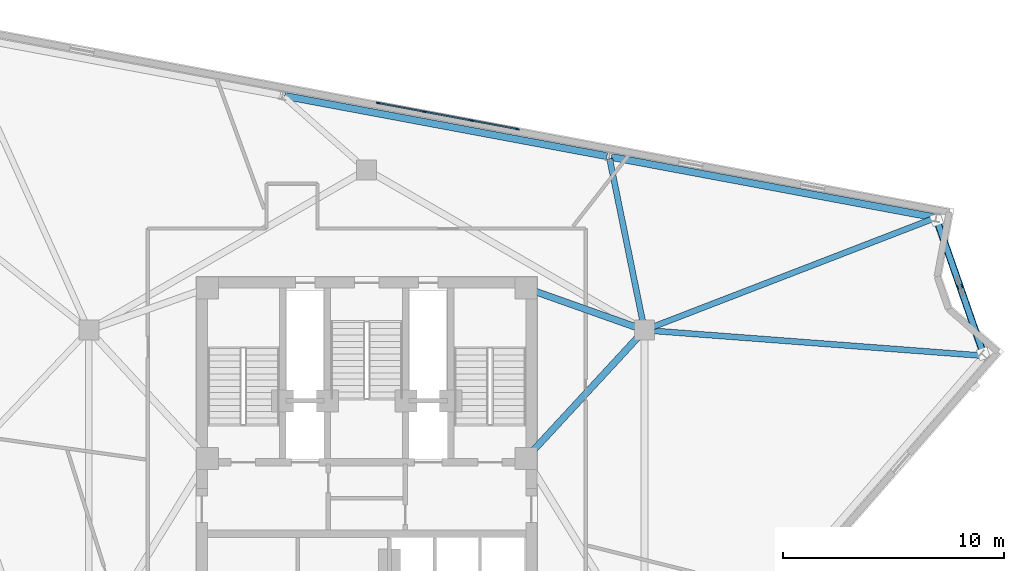
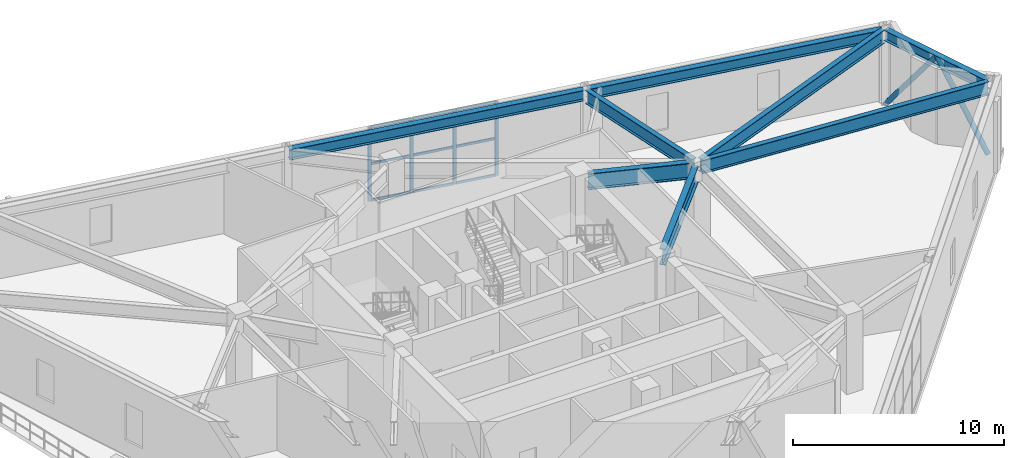
# One storey, part 7 of 15: 15 members, 8 beams, 1 element without a shape of its own.
"""IFC4 building model written with IfcOpenShell, lengths in metres."""

from ifc_helpers import new_model, si_unit, direction, frame, origin, origin_2d, place, context, subcontext, project, spatial, rectangle, hollow_circle, i_section, extrude, material, layer, layer_set, material_profile, profile_set, type_object, element, aggregate, save


model = new_model("IFC4")

# Units and contexts
model_context = context("Model", 3, precision=1e-05, world=origin(), true_north=direction((0.0, 1.0)))
body_context = subcontext(model_context, "Body", "Model", "MODEL_VIEW")
ifc_project = project(units=[si_unit("LENGTHUNIT", "METRE"), si_unit("AREAUNIT", "SQUARE_METRE"), si_unit("VOLUMEUNIT", "CUBIC_METRE"), si_unit("PLANEANGLEUNIT", "RADIAN"), si_unit("MASSUNIT", "GRAM", prefix="KILO")], contexts=[model_context])

# Site, building, storey
site_placement = place(None, origin())
site = spatial("IfcSite", under=ifc_project, at=site_placement, CompositionType="ELEMENT")
building_placement = place(site_placement, origin())
building = spatial("IfcBuilding", under=site, at=building_placement, Name="Apsidion Concourse Tower", CompositionType="ELEMENT")
storey_placement = place(building_placement, frame((0.0, 0.0, 260.89990234375)))
storey = spatial("IfcBuildingStorey", under=building, at=storey_placement, Name="L61", CompositionType="ELEMENT", Elevation=260.89990234375)

# Beams
ifc_material_1 = material(Name="Structural steel ASTM A992 Grade 50", Category="steel")
ifc_material_profile_1 = material_profile(ifc_material_1, i_section(OverallWidth=0.31005859375, OverallDepth=0.931884765625, WebThickness=0.02099609375, FlangeThickness=0.034423828125, at=origin_2d()), Name="W36X210")
ifc_profile_set_1 = profile_set([ifc_material_profile_1], Name="Structural steel ASTM A992 Grade 50")
beam_type_1 = type_object("IfcBeamType", Name="BM-G-W36", PredefinedType="USERDEFINED", material=ifc_profile_set_1)
beam_1_placement = place(storey_placement, frame((12.28857421875, 6.956298828125, 3.884033203125), z_axis=(-0.678712876106, -0.73440372535, 0.0), x_axis=(0.73440372535, -0.678712876106, 0.0)))
element("IfcBeam", 1, at=beam_1_placement, inside=storey, type_object=beam_type_1, Name="L61 Core Coupling Girder IC3-SC3", ObjectType="GIRDER", PredefinedType="USERDEFINED", context=body_context, shape_type="SweptSolid", body=[
    extrude(i_section(OverallWidth=0.31005859375, OverallDepth=0.931884765625, WebThickness=0.02099609375, FlangeThickness=0.034423828125, at=origin_2d()), origin(), (0.0, 0.0, 1.0), 7.097412109375),
])
beam_2_placement = place(storey_placement, frame((12.18310546875, 7.383544921875, 3.884033203125), z_axis=(-0.942533844539, 0.334110688094, 0.0), x_axis=(-0.334110688094, -0.942533844539, 0.0)))
element("IfcBeam", 2, at=beam_2_placement, inside=storey, type_object=beam_type_1, Name="L61 Core Coupling Girder IC3-SC4", ObjectType="GIRDER", PredefinedType="USERDEFINED", context=body_context, shape_type="SweptSolid", body=[
    extrude(i_section(OverallWidth=0.31005859375, OverallDepth=0.931884765625, WebThickness=0.02099609375, FlangeThickness=0.034423828125, at=origin_2d()), origin(), (0.0, 0.0, 1.0), 4.886962890625),
])
ifc_material_profile_2 = material_profile(ifc_material_1, i_section(OverallWidth=0.324951171875, OverallDepth=0.616943359375, WebThickness=0.013916015625, FlangeThickness=0.021484375, at=origin_2d()), Name="W24X117")
ifc_profile_set_2 = profile_set([ifc_material_profile_2], Name="Structural steel ASTM A992 Grade 50")
beam_type_2 = type_object("IfcBeamType", Name="BM-SP-W24", PredefinedType="SPANDREL", material=ifc_profile_set_2)
beam_3_placement = place(storey_placement, frame((27.881591796875, 6.185302734375, 4.04150390625), z_axis=(-0.328995813691, 0.944331379641, 0.0), x_axis=(-0.944331379641, -0.328995813691, 0.0)))
element("IfcBeam", 3, at=beam_3_placement, inside=storey, type_object=beam_type_2, Name="L61 Perimeter Spandrel Girder SP-08", PredefinedType="SPANDREL", context=body_context, shape_type="SweptSolid", body=[
    extrude(i_section(OverallWidth=0.324951171875, OverallDepth=0.616943359375, WebThickness=0.013916015625, FlangeThickness=0.021484375, at=origin_2d()), origin(), (0.0, 0.0, 1.0), 6.416015625),
])
beam_4_placement = place(storey_placement, frame((25.639404296875, 12.35693359375, 4.04150390625), z_axis=(-0.982990339522, 0.183657268861, 0.0), x_axis=(-0.183657268861, -0.982990339522, 0.0)))
element("IfcBeam", 4, at=beam_4_placement, inside=storey, type_object=beam_type_2, Name="L61 Perimeter Spandrel Girder SP-09", PredefinedType="SPANDREL", context=body_context, shape_type="SweptSolid", body=[
    extrude(i_section(OverallWidth=0.324951171875, OverallDepth=0.616943359375, WebThickness=0.013916015625, FlangeThickness=0.021484375, at=origin_2d()), origin(), (0.0, 0.0, 1.0), 14.82861328125),
])
beam_5_placement = place(storey_placement, frame((10.866455078125, 15.1171875, 4.04150390625), z_axis=(-0.982990894844, 0.183654296586, 0.0), x_axis=(-0.183654296586, -0.982990894844, 0.0)))
element("IfcBeam", 5, at=beam_5_placement, inside=storey, type_object=beam_type_2, Name="L61 Perimeter Spandrel Girder SP-10", PredefinedType="SPANDREL", context=body_context, shape_type="SweptSolid", body=[
    extrude(i_section(OverallWidth=0.324951171875, OverallDepth=0.616943359375, WebThickness=0.013916015625, FlangeThickness=0.021484375, at=origin_2d()), origin(), (0.0, 0.0, 1.0), 14.828857421875),
])
ifc_material_profile_3 = material_profile(ifc_material_1, i_section(OverallWidth=0.26806640625, OverallDepth=0.77001953125, WebThickness=0.015625, FlangeThickness=0.025390625, at=origin_2d()), Name="W30X132")
ifc_profile_set_3 = profile_set([ifc_material_profile_3], Name="Structural steel ASTM A992 Grade 50")
beam_type_3 = type_object("IfcBeamType", Name="BM-SP-W30", PredefinedType="SPANDREL", material=ifc_profile_set_3)
beam_6_placement = place(storey_placement, frame((12.779296875, 7.2333984375, 3.965087890625), z_axis=(0.997162813541, -0.075274984495, 0.0), x_axis=(0.075274984495, 0.997162813541, 0.0)))
element("IfcBeam", 6, at=beam_6_placement, inside=storey, type_object=beam_type_3, Name="L61 Radial Floor Girder RAD-08", PredefinedType="SPANDREL", context=body_context, shape_type="SweptSolid", body=[
    extrude(i_section(OverallWidth=0.26806640625, OverallDepth=0.77001953125, WebThickness=0.015625, FlangeThickness=0.025390625, at=origin_2d()), origin(), (0.0, 0.0, 1.0), 15.078125),
])
beam_7_placement = place(storey_placement, frame((12.76513671875, 7.3291015625, 3.965087890625), z_axis=(0.932864861943, 0.360226525053, 0.0), x_axis=(-0.360226525053, 0.932864861943, 0.0)))
element("IfcBeam", 7, at=beam_7_placement, inside=storey, type_object=beam_type_3, Name="L61 Radial Floor Girder RAD-09", PredefinedType="SPANDREL", context=body_context, shape_type="SweptSolid", body=[
    extrude(i_section(OverallWidth=0.26806640625, OverallDepth=0.77001953125, WebThickness=0.015625, FlangeThickness=0.025390625, at=origin_2d()), origin(), (0.0, 0.0, 1.0), 13.806396484375),
])
beam_8_placement = place(storey_placement, frame((12.51611328125, 7.465576171875, 3.965087890625), z_axis=(-0.199174271345, 0.97996408589, 0.0), x_axis=(-0.97996408589, -0.199174271345, 0.0)))
element("IfcBeam", 8, at=beam_8_placement, inside=storey, type_object=beam_type_3, Name="L61 Radial Floor Girder RAD-10", PredefinedType="SPANDREL", context=body_context, shape_type="SweptSolid", body=[
    extrude(i_section(OverallWidth=0.26806640625, OverallDepth=0.77001953125, WebThickness=0.015625, FlangeThickness=0.025390625, at=origin_2d()), origin(), (0.0, 0.0, 1.0), 7.689208984375),
])

# Curtain wall, members
ifc_material_2 = material(Name="Insulated laminated low-E glass", Category="glass")
ifc_layer = layer(ifc_material_2, 0.2099609375)
ifc_layer_set = layer_set([ifc_layer], Name="Insulated laminated low-E glass")
curtain_wall_type = type_object("IfcCurtainWallType", Name="CW-SYS-03", PredefinedType="NOTDEFINED", material=ifc_layer_set)
curtain_wall_placement = place(storey_placement, origin())
curtain_wall = element("IfcCurtainWall", 9, at=curtain_wall_placement, inside=storey, type_object=curtain_wall_type, Name="L61 Sky Lobby Curtain Wall 1", PredefinedType="NOTDEFINED")
ifc_material_3 = material(Name="Anodised aluminium EN AW-6063 T6", Category="aluminium")
ifc_material_profile_4 = material_profile(ifc_material_3, rectangle(XDim=0.06494140625, YDim=0.179931640625, at=origin_2d()), Name="ALU MULLION 65x180")
ifc_profile_set_4 = profile_set([ifc_material_profile_4], Name="Anodised aluminium EN AW-6063 T6")
member_type_1 = type_object("IfcMemberType", Name="CWM-65X180", PredefinedType="MULLION", material=ifc_profile_set_4)
member_1_placement = place(storey_placement, frame((0.52197265625, 17.518310546875, 0.0), z_axis=(0.0, 0.0, 1.0), x_axis=(0.18388306412, 0.982948126164, 0.0)))
member_1 = element("IfcMember", 10, at=member_1_placement, type_object=member_type_1, Name="CW-03 mullion 1", PredefinedType="MULLION", context=body_context, shape_type="SweptSolid", body=[
    extrude(rectangle(XDim=0.06494140625, YDim=0.179931640625, at=origin_2d()), origin(), (0.0, 0.0, 1.0), 4.300048828125),
])
member_2_placement = place(storey_placement, frame((2.607666015625, 17.128173828125, 0.0), z_axis=(0.0, 0.0, 1.0), x_axis=(0.18388306412, 0.982948126164, 0.0)))
member_2 = element("IfcMember", 11, at=member_2_placement, type_object=member_type_1, Name="CW-03 mullion 2", PredefinedType="MULLION", context=body_context, shape_type="SweptSolid", body=[
    extrude(rectangle(XDim=0.06494140625, YDim=0.179931640625, at=origin_2d()), origin(), (0.0, 0.0, 1.0), 4.300048828125),
])
member_3_placement = place(storey_placement, frame((4.72509765625, 16.732177734375, 0.0), z_axis=(0.0, 0.0, 1.0), x_axis=(0.18388306412, 0.982948126164, 0.0)))
member_3 = element("IfcMember", 12, at=member_3_placement, type_object=member_type_1, Name="CW-03 mullion 3", PredefinedType="MULLION", context=body_context, shape_type="SweptSolid", body=[
    extrude(rectangle(XDim=0.06494140625, YDim=0.179931640625, at=origin_2d()), origin(), (0.0, 0.0, 1.0), 4.300048828125),
])
member_4_placement = place(storey_placement, frame((6.810791015625, 16.342041015625, 0.0), z_axis=(0.0, 0.0, 1.0), x_axis=(0.18388306412, 0.982948126164, 0.0)))
member_4 = element("IfcMember", 13, at=member_4_placement, type_object=member_type_1, Name="CW-03 mullion 4", PredefinedType="MULLION", context=body_context, shape_type="SweptSolid", body=[
    extrude(rectangle(XDim=0.06494140625, YDim=0.179931640625, at=origin_2d()), origin(), (0.0, 0.0, 1.0), 4.300048828125),
])
ifc_material_profile_5 = material_profile(ifc_material_3, rectangle(XDim=0.06494140625, YDim=0.139892578125, at=origin_2d()), Name="ALU TRANSOM 65x140")
ifc_profile_set_5 = profile_set([ifc_material_profile_5], Name="Anodised aluminium EN AW-6063 T6")
member_type_2 = type_object("IfcMemberType", Name="CWT-65X140", PredefinedType="USERDEFINED", material=ifc_profile_set_5)
member_5_placement = place(storey_placement, frame((0.553955078125, 17.512451171875, 0.03271484375), z_axis=(0.982951378354, -0.18386567867, 0.0), x_axis=(0.18386567867, 0.982951378354, 0.0)))
member_5 = element("IfcMember", 14, at=member_5_placement, type_object=member_type_2, Name="CW-03 transom 1.1", ObjectType="TRANSOM", PredefinedType="USERDEFINED", context=body_context, shape_type="SweptSolid", body=[
    extrude(rectangle(XDim=0.06494140625, YDim=0.139892578125, at=origin_2d()), origin(), (0.0, 0.0, 1.0), 2.056884765625),
])
member_6_placement = place(storey_placement, frame((0.553955078125, 17.512451171875, 2.150146484375), z_axis=(0.982951378354, -0.18386567867, 0.0), x_axis=(0.18386567867, 0.982951378354, 0.0)))
member_6 = element("IfcMember", 15, at=member_6_placement, type_object=member_type_2, Name="CW-03 transom 1.2", ObjectType="TRANSOM", PredefinedType="USERDEFINED", context=body_context, shape_type="SweptSolid", body=[
    extrude(rectangle(XDim=0.06494140625, YDim=0.139892578125, at=origin_2d()), origin(), (0.0, 0.0, 1.0), 2.056884765625),
])
member_7_placement = place(storey_placement, frame((0.553955078125, 17.512451171875, 4.267578125), z_axis=(0.982951378354, -0.18386567867, 0.0), x_axis=(0.18386567867, 0.982951378354, 0.0)))
member_7 = element("IfcMember", 16, at=member_7_placement, type_object=member_type_2, Name="CW-03 transom 1.3", ObjectType="TRANSOM", PredefinedType="USERDEFINED", context=body_context, shape_type="SweptSolid", body=[
    extrude(rectangle(XDim=0.06494140625, YDim=0.139892578125, at=origin_2d()), origin(), (0.0, 0.0, 1.0), 2.056884765625),
])
member_8_placement = place(storey_placement, frame((2.6396484375, 17.122314453125, 0.03271484375), z_axis=(0.982936952165, -0.183942784771, 0.0), x_axis=(0.183942784771, 0.982936952165, 0.0)))
member_8 = element("IfcMember", 17, at=member_8_placement, type_object=member_type_2, Name="CW-03 transom 2.1", ObjectType="TRANSOM", PredefinedType="USERDEFINED", context=body_context, shape_type="SweptSolid", body=[
    extrude(rectangle(XDim=0.06494140625, YDim=0.139892578125, at=origin_2d()), origin(), (0.0, 0.0, 1.0), 2.089111328125),
])
member_9_placement = place(storey_placement, frame((2.6396484375, 17.122314453125, 2.150146484375), z_axis=(0.982936952165, -0.183942784771, 0.0), x_axis=(0.183942784771, 0.982936952165, 0.0)))
member_9 = element("IfcMember", 18, at=member_9_placement, type_object=member_type_2, Name="CW-03 transom 2.2", ObjectType="TRANSOM", PredefinedType="USERDEFINED", context=body_context, shape_type="SweptSolid", body=[
    extrude(rectangle(XDim=0.06494140625, YDim=0.139892578125, at=origin_2d()), origin(), (0.0, 0.0, 1.0), 2.089111328125),
])
member_10_placement = place(storey_placement, frame((2.6396484375, 17.122314453125, 4.267578125), z_axis=(0.982936952165, -0.183942784771, 0.0), x_axis=(0.183942784771, 0.982936952165, 0.0)))
member_10 = element("IfcMember", 19, at=member_10_placement, type_object=member_type_2, Name="CW-03 transom 2.3", ObjectType="TRANSOM", PredefinedType="USERDEFINED", context=body_context, shape_type="SweptSolid", body=[
    extrude(rectangle(XDim=0.06494140625, YDim=0.139892578125, at=origin_2d()), origin(), (0.0, 0.0, 1.0), 2.089111328125),
])
member_11_placement = place(storey_placement, frame((4.757080078125, 16.72607421875, 0.03271484375), z_axis=(0.982951378354, -0.18386567867, 0.0), x_axis=(0.18386567867, 0.982951378354, 0.0)))
member_11 = element("IfcMember", 20, at=member_11_placement, type_object=member_type_2, Name="CW-03 transom 3.1", ObjectType="TRANSOM", PredefinedType="USERDEFINED", context=body_context, shape_type="SweptSolid", body=[
    extrude(rectangle(XDim=0.06494140625, YDim=0.139892578125, at=origin_2d()), origin(), (0.0, 0.0, 1.0), 2.056884765625),
])
member_12_placement = place(storey_placement, frame((4.757080078125, 16.72607421875, 2.150146484375), z_axis=(0.982951378354, -0.18386567867, 0.0), x_axis=(0.18386567867, 0.982951378354, 0.0)))
member_12 = element("IfcMember", 21, at=member_12_placement, type_object=member_type_2, Name="CW-03 transom 3.2", ObjectType="TRANSOM", PredefinedType="USERDEFINED", context=body_context, shape_type="SweptSolid", body=[
    extrude(rectangle(XDim=0.06494140625, YDim=0.139892578125, at=origin_2d()), origin(), (0.0, 0.0, 1.0), 2.056884765625),
])
member_13_placement = place(storey_placement, frame((4.757080078125, 16.72607421875, 4.267578125), z_axis=(0.982951378354, -0.18386567867, 0.0), x_axis=(0.18386567867, 0.982951378354, 0.0)))
member_13 = element("IfcMember", 22, at=member_13_placement, type_object=member_type_2, Name="CW-03 transom 3.3", ObjectType="TRANSOM", PredefinedType="USERDEFINED", context=body_context, shape_type="SweptSolid", body=[
    extrude(rectangle(XDim=0.06494140625, YDim=0.139892578125, at=origin_2d()), origin(), (0.0, 0.0, 1.0), 2.056884765625),
])
aggregate(curtain_wall, [member_1, member_2, member_3, member_4, member_5, member_6, member_7, member_8, member_9, member_10, member_11, member_12, member_13])

# Members
ifc_material_4 = material(Name="Structural steel ASTM A500 Grade C", Category="steel")
ifc_material_profile_6 = material_profile(ifc_material_4, hollow_circle(Radius=0.136474609375, WallThickness=0.01611328125, at=origin_2d()), Name="CHS273X16")
ifc_profile_set_6 = profile_set([ifc_material_profile_6], Name="Structural steel ASTM A500 Grade C")
member_type_3 = type_object("IfcMemberType", Name="MB-BR-CHS273", PredefinedType="BRACE", material=ifc_profile_set_6)
member_14_placement = place(storey_placement, frame((27.881591796875, 6.185302734375, 0.0), z_axis=(-0.198209921626, 0.568907866651, 0.798158296475), x_axis=(-0.944327260759, -0.329007636062, 0.0)))
element("IfcMember", 23, at=member_14_placement, inside=storey, type_object=member_type_3, Name="L61 Corner Step-Transfer Chevron Brace KN-2-1", PredefinedType="BRACE", context=body_context, shape_type="SweptSolid", body=[
    extrude(hollow_circle(Radius=0.136474609375, WallThickness=0.01611328125, at=origin_2d()), origin(), (0.0, 0.0, 1.0), 5.32470703125),
])
member_15_placement = place(storey_placement, frame((25.770751953125, 12.244140625, 0.0), z_axis=(0.198204751418, -0.568938875861, 0.798137476911), x_axis=(0.944335498078, 0.328983992118, 0.0)))
element("IfcMember", 24, at=member_15_placement, inside=storey, type_object=member_type_3, Name="L61 Corner Step-Transfer Chevron Brace KN-2-2", PredefinedType="BRACE", context=body_context, shape_type="SweptSolid", body=[
    extrude(hollow_circle(Radius=0.136474609375, WallThickness=0.01611328125, at=origin_2d()), origin(), (0.0, 0.0, 1.0), 5.324951171875),
])

save(model, "model.ifc")
